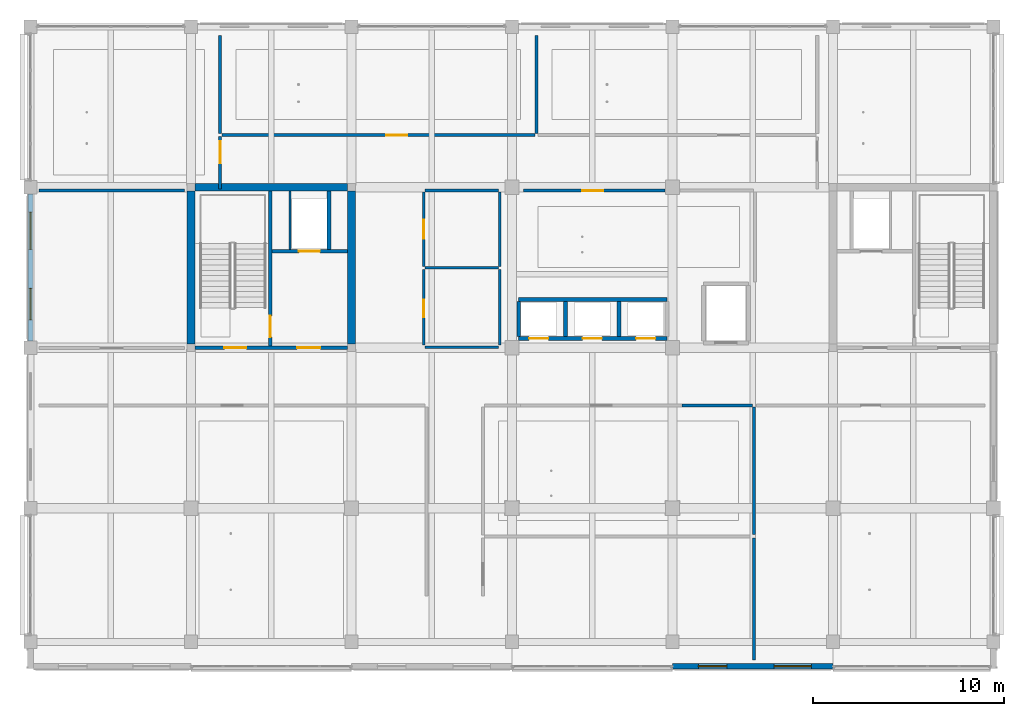
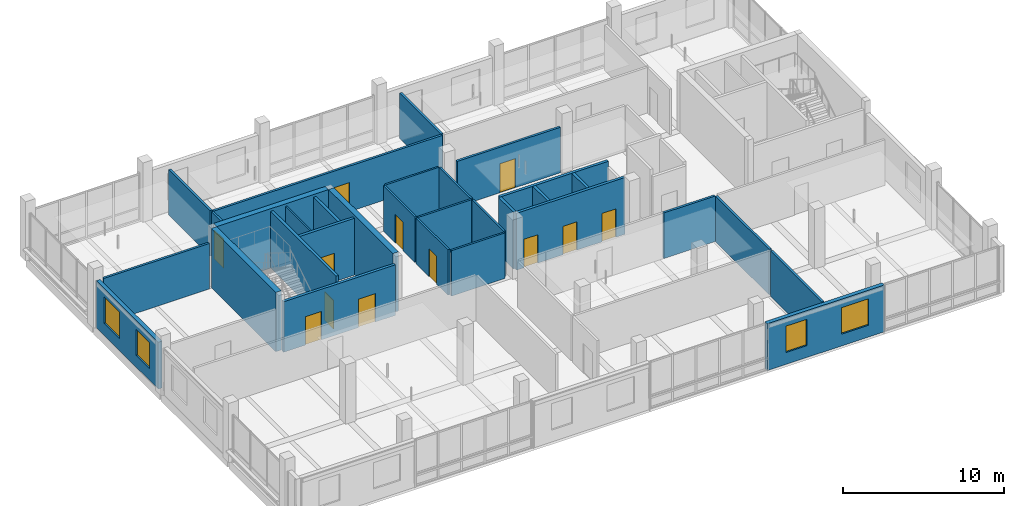
# One storey, part 12 of 35: 31 walls, 12 doors, 4 windows, 16 openings.
"""IFC4 building model written with IfcOpenShell, lengths in metres."""

from ifc_helpers import new_model, si_unit, direction, frame, frame_2d, origin, place, context, subcontext, project, spatial, rectangle, extrude, material, layer, layer_set, type_object, element, fill, save


model = new_model("IFC4")

# Units and contexts
model_context = context("Model", 3, precision=1e-05, world=origin(), true_north=direction((0.0, 1.0)))
body_context = subcontext(model_context, "Body", "Model", "MODEL_VIEW")
ifc_project = project(units=[si_unit("LENGTHUNIT", "METRE"), si_unit("AREAUNIT", "SQUARE_METRE"), si_unit("VOLUMEUNIT", "CUBIC_METRE"), si_unit("PLANEANGLEUNIT", "RADIAN"), si_unit("MASSUNIT", "GRAM", prefix="KILO")], contexts=[model_context])

# Site, building, storey
site_placement = place(None, origin())
site = spatial("IfcSite", under=ifc_project, at=site_placement, CompositionType="ELEMENT")
building_placement = place(site_placement, origin())
building = spatial("IfcBuilding", under=site, at=building_placement, Name="Telukmera Botanical Conservatory", CompositionType="ELEMENT")
storey_placement = place(building_placement, frame((0.0, 0.0, 46.5)))
storey = spatial("IfcBuildingStorey", under=building, at=storey_placement, Name="L10", CompositionType="ELEMENT", Elevation=46.5)

# Wall, openings, windows
ifc_material_1 = material(Name="Precast concrete C40/50", Category="concrete")
ifc_layer_1 = layer(ifc_material_1, 0.280029296875)
ifc_layer_set_1 = layer_set([ifc_layer_1], Name="Precast concrete C40/50")
wall_type_1 = type_object("IfcWallType", Name="Exterior Laboratory Modular Precast Wall 280", PredefinedType="ELEMENTEDWALL", material=ifc_layer_set_1)
wall_1_placement = place(storey_placement, frame((84.001953125, 9.320068359375, 0.0), z_axis=(0.0, 0.0, 1.0), x_axis=(1.0, 0.0, 0.0)))
wall_1 = element("IfcWall", 1, at=wall_1_placement, inside=storey, type_object=wall_type_1, Name="Exterior Precast Wall EW06 V4:L10:S5", PredefinedType="ELEMENTEDWALL", context=body_context, shape_type="SweptSolid", body=[
    extrude(rectangle(XDim=8.39599609375, YDim=0.280029296875, at=frame_2d((4.197998046875, 0.0))), origin(), (0.0, 0.0, 1.0), 3.550048828125),
])
opening_1_placement = place(wall_1_placement, frame((1.34912109375, 0.0, 0.89990234375)))
opening_1 = element("IfcOpeningElement", 2, at=opening_1_placement, cuts=wall_1, Name="Opening W06", PredefinedType="OPENING", context=body_context, shape_type="SweptSolid", body=[
    extrude(rectangle(XDim=1.5, YDim=2.0, at=frame_2d((0.75, 1.0))), frame((0.0, 0.14990234375, 0.0), z_axis=(0.0, -1.0, 0.0), x_axis=(1.0, 0.0, 0.0)), (0.0, 0.0, 1.0), 0.300048828125),
])
opening_2_placement = place(wall_1_placement, frame((5.322021484375, 0.0, 0.89990234375)))
opening_2 = element("IfcOpeningElement", 3, at=opening_2_placement, cuts=wall_1, Name="Opening W13", PredefinedType="OPENING", context=body_context, shape_type="SweptSolid", body=[
    extrude(rectangle(XDim=1.949951171875, YDim=2.0, at=frame_2d((0.97509765625, 1.0))), frame((0.0, 0.14990234375, 0.0), z_axis=(0.0, -1.0, 0.0), x_axis=(1.0, 0.0, 0.0)), (0.0, 0.0, 1.0), 0.300048828125),
])
ifc_material_2 = material(Name="Thermally broken anodised aluminium frame with low-E double glazing", Category="aluminium")
window_type_1 = type_object("IfcWindowType", Name="Double Vertical Laboratory Viewing Window 1500x2000", PartitioningType="DOUBLE_PANEL_VERTICAL", PredefinedType="WINDOW", material=ifc_material_2)
window_1_placement = place(opening_1_placement, origin())
window_1 = element("IfcWindow", 4, at=window_1_placement, inside=storey, type_object=window_type_1, Name="Facade Window W06 V4:L10:S5 1", OverallHeight=2.0, OverallWidth=1.5, PartitioningType="DOUBLE_PANEL_VERTICAL", PredefinedType="WINDOW", context=body_context, shape_type="SweptSolid", body=[
    extrude(rectangle(XDim=1.5, YDim=2.0, at=frame_2d((0.75, 1.0))), frame((0.0, 0.030029296875, 0.0), z_axis=(0.0, -1.0, 0.0), x_axis=(1.0, 0.0, 0.0)), (0.0, 0.0, 1.0), 0.06005859375),
])
fill(opening_1, window_1)
window_type_2 = type_object("IfcWindowType", Name="Triple Vertical Tissue Culture Lab Window 1950x2000", PartitioningType="TRIPLE_PANEL_VERTICAL", PredefinedType="WINDOW", material=ifc_material_2)
window_2_placement = place(opening_2_placement, origin())
window_2 = element("IfcWindow", 5, at=window_2_placement, inside=storey, type_object=window_type_2, Name="Facade Window W13 V4:L10:S5 2", OverallHeight=2.0, OverallWidth=1.949951171875, PartitioningType="TRIPLE_PANEL_VERTICAL", PredefinedType="WINDOW", context=body_context, shape_type="SweptSolid", body=[
    extrude(rectangle(XDim=1.949951171875, YDim=2.0, at=frame_2d((0.97509765625, 1.0))), frame((0.0, 0.030029296875, 0.0), z_axis=(0.0, -1.0, 0.0), x_axis=(1.0, 0.0, 0.0)), (0.0, 0.0, 1.0), 0.06005859375),
])
fill(opening_2, window_2)

wall_2_placement = place(storey_placement, frame((50.39990234375, 26.35205078125, 0.0), z_axis=(0.0, 0.0, 1.0), x_axis=(0.0, 1.0, 0.0)))
wall_2 = element("IfcWall", 6, at=wall_2_placement, inside=storey, type_object=wall_type_1, Name="Exterior Precast Wall EW06 V4:L10:W3", PredefinedType="ELEMENTEDWALL", context=body_context, shape_type="SweptSolid", body=[
    extrude(rectangle(XDim=7.696044921875, YDim=0.280029296875, at=frame_2d((3.84814453125, 0.0))), origin(), (0.0, 0.0, 1.0), 3.550048828125),
])
opening_3_placement = place(wall_2_placement, frame((1.09912109375, 0.0, 0.89990234375)))
opening_3 = element("IfcOpeningElement", 7, at=opening_3_placement, cuts=wall_2, Name="Opening W10", PredefinedType="OPENING", context=body_context, shape_type="SweptSolid", body=[
    extrude(rectangle(XDim=1.64990234375, YDim=1.949951171875, at=frame_2d((0.824951171875, 0.97509765625))), frame((0.0, 0.14990234375, 0.0), z_axis=(0.0, -1.0, 0.0), x_axis=(1.0, 0.0, 0.0)), (0.0, 0.0, 1.0), 0.300048828125),
])
opening_4_placement = place(wall_2_placement, frame((4.797119140625, 0.0, 0.89990234375)))
opening_4 = element("IfcOpeningElement", 8, at=opening_4_placement, cuts=wall_2, Name="Opening W13", PredefinedType="OPENING", context=body_context, shape_type="SweptSolid", body=[
    extrude(rectangle(XDim=1.949951171875, YDim=2.0, at=frame_2d((0.97509765625, 1.0))), frame((0.0, 0.14990234375, 0.0), z_axis=(0.0, -1.0, 0.0), x_axis=(1.0, 0.0, 0.0)), (0.0, 0.0, 1.0), 0.300048828125),
])
window_type_3 = type_object("IfcWindowType", Name="Double Horizontal Phytochemistry Lab Window 1650x1950", PartitioningType="DOUBLE_PANEL_HORIZONTAL", PredefinedType="WINDOW", material=ifc_material_2)
window_3_placement = place(opening_3_placement, origin())
window_3 = element("IfcWindow", 9, at=window_3_placement, inside=storey, type_object=window_type_3, Name="Facade Window W10 V4:L10:W3 1", OverallHeight=1.949951171875, OverallWidth=1.64990234375, PartitioningType="DOUBLE_PANEL_HORIZONTAL", PredefinedType="WINDOW", context=body_context, shape_type="SweptSolid", body=[
    extrude(rectangle(XDim=1.64990234375, YDim=1.949951171875, at=frame_2d((0.824951171875, 0.97509765625))), frame((0.0, 0.030029296875, 0.0), z_axis=(0.0, -1.0, 0.0), x_axis=(1.0, 0.0, 0.0)), (0.0, 0.0, 1.0), 0.06005859375),
])
fill(opening_3, window_3)
window_4_placement = place(opening_4_placement, origin())
window_4 = element("IfcWindow", 10, at=window_4_placement, inside=storey, type_object=window_type_2, Name="Facade Window W13 V4:L10:W3 2", OverallHeight=2.0, OverallWidth=1.949951171875, PartitioningType="TRIPLE_PANEL_VERTICAL", PredefinedType="WINDOW", context=body_context, shape_type="SweptSolid", body=[
    extrude(rectangle(XDim=1.949951171875, YDim=2.0, at=frame_2d((0.97509765625, 1.0))), frame((0.0, 0.030029296875, 0.0), z_axis=(0.0, -1.0, 0.0), x_axis=(1.0, 0.0, 0.0)), (0.0, 0.0, 1.0), 0.06005859375),
])
fill(opening_4, window_4)

# Wall, openings, doors
ifc_material_3 = material(Name="Concrete C40/50", Category="concrete")
ifc_layer_2 = layer(ifc_material_3, 0.199951171875)
ifc_layer_set_2 = layer_set([ifc_layer_2], Name="Concrete C40/50")
wall_type_2 = type_object("IfcWallType", Name="WT-CORE-200", PredefinedType="SOLIDWALL", material=ifc_layer_set_2)
wall_3_placement = place(storey_placement, frame((59.0, 26.0, 0.0), z_axis=(0.0, 0.0, 1.0), x_axis=(1.0, 0.0, 0.0)))
wall_3 = element("IfcWall", 11, at=wall_3_placement, inside=storey, type_object=wall_type_2, Name="L10 Core C1 South Fire Wall", PredefinedType="SOLIDWALL", context=body_context, shape_type="SweptSolid", body=[
    extrude(rectangle(XDim=8.0, YDim=0.199951171875, at=frame_2d((4.0, 0.0))), origin(), (0.0, 0.0, 1.0), 3.830078125),
])
opening_5_placement = place(wall_3_placement, frame((1.550048828125, 0.0, 0.0)))
opening_5 = element("IfcOpeningElement", 12, at=opening_5_placement, cuts=wall_3, Name="Opening FD60A", PredefinedType="OPENING", context=body_context, shape_type="SweptSolid", body=[
    extrude(rectangle(XDim=1.14990234375, YDim=2.14990234375, at=frame_2d((0.574951171875, 1.074951171875))), frame((0.0, 0.10986328125, 0.0), z_axis=(0.0, -1.0, 0.0), x_axis=(1.0, 0.0, 0.0)), (0.0, 0.0, 1.0), 0.219970703125),
])
opening_6_placement = place(wall_3_placement, frame((5.35009765625, 0.0, 0.0)))
opening_6 = element("IfcOpeningElement", 13, at=opening_6_placement, cuts=wall_3, Name="Opening FD60C", PredefinedType="OPENING", context=body_context, shape_type="SweptSolid", body=[
    extrude(rectangle(XDim=1.219970703125, YDim=2.14990234375, at=frame_2d((0.60986328125, 1.074951171875))), frame((0.0, 0.10986328125, 0.0), z_axis=(0.0, -1.0, 0.0), x_axis=(1.0, 0.0, 0.0)), (0.0, 0.0, 1.0), 0.219970703125),
])
ifc_material_4 = material(Name="Hardwood fire door", Category="wood")
door_type_1 = type_object("IfcDoorType", Name="DT-FD60-01", OperationType="NOTDEFINED", PredefinedType="DOOR", material=ifc_material_4)
door_1_placement = place(opening_5_placement, origin())
door_1 = element("IfcDoor", 14, at=door_1_placement, inside=storey, type_object=door_type_1, Name="L10 Stair ST1 Escape Door", OperationType="SINGLE_SWING_RIGHT", OverallHeight=2.14990234375, OverallWidth=1.14990234375, PredefinedType="DOOR", context=body_context, shape_type="SweptSolid", body=[
    extrude(rectangle(XDim=1.14990234375, YDim=2.14990234375, at=frame_2d((0.574951171875, 1.074951171875))), frame((0.0, 0.02490234375, 0.0), z_axis=(0.0, -1.0, 0.0), x_axis=(1.0, 0.0, 0.0)), (0.0, 0.0, 1.0), 0.050048828125),
])
fill(opening_5, door_1)
door_type_2 = type_object("IfcDoorType", Name="DT-FD60-03", OperationType="NOTDEFINED", PredefinedType="DOOR", material=ifc_material_4)
door_2_placement = place(opening_6_placement, origin())
door_2 = element("IfcDoor", 15, at=door_2_placement, inside=storey, type_object=door_type_2, Name="L10 Firefighting Lobby C1 Door", OperationType="SINGLE_SWING_LEFT", OverallHeight=2.14990234375, OverallWidth=1.219970703125, PredefinedType="DOOR", context=body_context, shape_type="SweptSolid", body=[
    extrude(rectangle(XDim=1.219970703125, YDim=2.14990234375, at=frame_2d((0.60986328125, 1.074951171875))), frame((0.0, 0.02490234375, 0.0), z_axis=(0.0, -1.0, 0.0), x_axis=(1.0, 0.0, 0.0)), (0.0, 0.0, 1.0), 0.050048828125),
])
fill(opening_6, door_2)

# Wall, opening, door
wall_4_placement = place(storey_placement, frame((62.949951171875, 26.10009765625, 0.0), z_axis=(0.0, 0.0, 1.0), x_axis=(0.0, 1.0, 0.0)))
wall_4 = element("IfcWall", 16, at=wall_4_placement, inside=storey, type_object=wall_type_2, Name="L10 Core C1 Stair-Lobby Wall", PredefinedType="SOLIDWALL", context=body_context, shape_type="SweptSolid", body=[
    extrude(rectangle(XDim=8.099853515625, YDim=0.199951171875, at=frame_2d((4.0498046875, 0.0))), origin(), (0.0, 0.0, 1.0), 4.300048828125),
])
opening_7_placement = place(wall_4_placement, frame((0.449951171875, 0.0, 0.0)))
opening_7 = element("IfcOpeningElement", 17, at=opening_7_placement, cuts=wall_4, Name="Opening FD60B", PredefinedType="OPENING", context=body_context, shape_type="SweptSolid", body=[
    extrude(rectangle(XDim=1.1201171875, YDim=2.14990234375, at=frame_2d((0.56005859375, 1.074951171875))), frame((0.0, 0.10986328125, 0.0), z_axis=(0.0, -1.0, 0.0), x_axis=(1.0, 0.0, 0.0)), (0.0, 0.0, 1.0), 0.219970703125),
])
door_type_3 = type_object("IfcDoorType", Name="DT-FD60-02", OperationType="NOTDEFINED", PredefinedType="DOOR", material=ifc_material_4)
door_3_placement = place(opening_7_placement, origin())
door_3 = element("IfcDoor", 18, at=door_3_placement, inside=storey, type_object=door_type_3, Name="L10 Firefighting Lobby C1 to ST1 Door", OperationType="SINGLE_SWING_RIGHT", OverallHeight=2.14990234375, OverallWidth=1.1201171875, PredefinedType="DOOR", context=body_context, shape_type="SweptSolid", body=[
    extrude(rectangle(XDim=1.1201171875, YDim=2.14990234375, at=frame_2d((0.56005859375, 1.074951171875))), frame((0.0, 0.02490234375, 0.0), z_axis=(0.0, -1.0, 0.0), x_axis=(1.0, 0.0, 0.0)), (0.0, 0.0, 1.0), 0.050048828125),
])
fill(opening_7, door_3)

wall_5_placement = place(storey_placement, frame((63.050048828125, 31.050048828125, 0.0), z_axis=(0.0, 0.0, 1.0), x_axis=(1.0, 0.0, 0.0)))
wall_5 = element("IfcWall", 19, at=wall_5_placement, inside=storey, type_object=wall_type_2, Name="L10 Fire Lift FL1 Shaft Front Wall", PredefinedType="SOLIDWALL", context=body_context, shape_type="SweptSolid", body=[
    extrude(rectangle(XDim=3.949951171875, YDim=0.199951171875, at=frame_2d((1.97509765625, 0.0))), origin(), (0.0, 0.0, 1.0), 4.300048828125),
])
opening_8_placement = place(wall_5_placement, frame((1.39990234375, 0.0, 0.0)))
opening_8 = element("IfcOpeningElement", 20, at=opening_8_placement, cuts=wall_5, Name="Opening LD01", PredefinedType="OPENING", context=body_context, shape_type="SweptSolid", body=[
    extrude(rectangle(XDim=1.10009765625, YDim=2.14990234375, at=frame_2d((0.550048828125, 1.074951171875))), frame((0.0, 0.10986328125, 0.0), z_axis=(0.0, -1.0, 0.0), x_axis=(1.0, 0.0, 0.0)), (0.0, 0.0, 1.0), 0.219970703125),
])
ifc_material_5 = material(Name="Stainless steel 316", Category="steel")
door_type_4 = type_object("IfcDoorType", Name="DT-LD01", OperationType="SLIDING_TO_LEFT", PredefinedType="DOOR", material=ifc_material_5)
door_4_placement = place(opening_8_placement, frame((1.10009765625, 0.0, 0.0), z_axis=(0.0, 0.0, 1.0), x_axis=(-1.0, 0.0, 0.0)))
door_4 = element("IfcDoor", 21, at=door_4_placement, inside=storey, type_object=door_type_4, Name="L10 Lift Landing Door FL1", OperationType="SLIDING_TO_LEFT", OverallHeight=2.14990234375, OverallWidth=1.10009765625, PredefinedType="DOOR", context=body_context, shape_type="SweptSolid", body=[
    extrude(rectangle(XDim=1.10009765625, YDim=2.14990234375, at=frame_2d((0.550048828125, 1.074951171875))), frame((0.0, 0.02490234375, 0.0), z_axis=(0.0, -1.0, 0.0), x_axis=(1.0, 0.0, 0.0)), (0.0, 0.0, 1.0), 0.050048828125),
])
fill(opening_8, door_4)

# Wall
wall_6_placement = place(storey_placement, frame((66.02001953125, 31.14990234375, 0.0), z_axis=(0.0, 0.0, 1.0), x_axis=(0.0, 1.0, 0.0)))
element("IfcWall", 22, at=wall_6_placement, inside=storey, type_object=wall_type_2, Name="L10 Fire Lift FL1 Shaft East Wall", PredefinedType="SOLIDWALL", context=body_context, shape_type="SweptSolid", body=[
    extrude(rectangle(XDim=3.050048828125, YDim=0.199951171875, at=frame_2d((1.52490234375, 0.0))), origin(), (0.0, 0.0, 1.0), 4.300048828125),
])

# Wall, openings, doors
wall_7_placement = place(storey_placement, frame((75.949951171875, 26.47998046875, 0.0), z_axis=(0.0, 0.0, 1.0), x_axis=(1.0, 0.0, 0.0)))
wall_7 = element("IfcWall", 23, at=wall_7_placement, inside=storey, type_object=wall_type_2, Name="L10 Passenger Lift Bank Front Wall", PredefinedType="SOLIDWALL", context=body_context, shape_type="SweptSolid", body=[
    extrude(rectangle(XDim=7.77001953125, YDim=0.199951171875, at=frame_2d((3.885009765625, 0.0))), origin(), (0.0, 0.0, 1.0), 4.300048828125),
])
opening_9_placement = place(wall_7_placement, frame((0.550048828125, 0.0, 0.0)))
opening_9 = element("IfcOpeningElement", 24, at=opening_9_placement, cuts=wall_7, Name="Opening LD03", PredefinedType="OPENING", context=body_context, shape_type="SweptSolid", body=[
    extrude(rectangle(XDim=1.0, YDim=2.14990234375, at=frame_2d((0.5, 1.074951171875))), frame((0.0, 0.10986328125, 0.0), z_axis=(0.0, -1.0, 0.0), x_axis=(1.0, 0.0, 0.0)), (0.0, 0.0, 1.0), 0.219970703125),
])
opening_10_placement = place(wall_7_placement, frame((3.35009765625, 0.0, 0.0)))
opening_10 = element("IfcOpeningElement", 25, at=opening_10_placement, cuts=wall_7, Name="Opening LD03", PredefinedType="OPENING", context=body_context, shape_type="SweptSolid", body=[
    extrude(rectangle(XDim=1.0, YDim=2.14990234375, at=frame_2d((0.5, 1.074951171875))), frame((0.0, 0.10986328125, 0.0), z_axis=(0.0, -1.0, 0.0), x_axis=(1.0, 0.0, 0.0)), (0.0, 0.0, 1.0), 0.219970703125),
])
opening_11_placement = place(wall_7_placement, frame((6.14990234375, 0.0, 0.0)))
opening_11 = element("IfcOpeningElement", 26, at=opening_11_placement, cuts=wall_7, Name="Opening LD03", PredefinedType="OPENING", context=body_context, shape_type="SweptSolid", body=[
    extrude(rectangle(XDim=1.0, YDim=2.14990234375, at=frame_2d((0.5, 1.074951171875))), frame((0.0, 0.10986328125, 0.0), z_axis=(0.0, -1.0, 0.0), x_axis=(1.0, 0.0, 0.0)), (0.0, 0.0, 1.0), 0.219970703125),
])
door_type_5 = type_object("IfcDoorType", Name="DT-LD03", OperationType="SLIDING_TO_LEFT", PredefinedType="DOOR", material=ifc_material_5)
door_5_placement = place(opening_9_placement, frame((1.0, 0.0, 0.0), z_axis=(0.0, 0.0, 1.0), x_axis=(-1.0, 0.0, 0.0)))
door_5 = element("IfcDoor", 27, at=door_5_placement, inside=storey, type_object=door_type_5, Name="L10 Lift Landing Door PL1", OperationType="SLIDING_TO_LEFT", OverallHeight=2.14990234375, OverallWidth=1.0, PredefinedType="DOOR", context=body_context, shape_type="SweptSolid", body=[
    extrude(rectangle(XDim=1.0, YDim=2.14990234375, at=frame_2d((0.5, 1.074951171875))), frame((0.0, 0.02490234375, 0.0), z_axis=(0.0, -1.0, 0.0), x_axis=(1.0, 0.0, 0.0)), (0.0, 0.0, 1.0), 0.050048828125),
])
fill(opening_9, door_5)
door_6_placement = place(opening_10_placement, frame((1.0, 0.0, 0.0), z_axis=(0.0, 0.0, 1.0), x_axis=(-1.0, 0.0, 0.0)))
door_6 = element("IfcDoor", 28, at=door_6_placement, inside=storey, type_object=door_type_5, Name="L10 Lift Landing Door PL2", OperationType="SLIDING_TO_LEFT", OverallHeight=2.14990234375, OverallWidth=1.0, PredefinedType="DOOR", context=body_context, shape_type="SweptSolid", body=[
    extrude(rectangle(XDim=1.0, YDim=2.14990234375, at=frame_2d((0.5, 1.074951171875))), frame((0.0, 0.02490234375, 0.0), z_axis=(0.0, -1.0, 0.0), x_axis=(1.0, 0.0, 0.0)), (0.0, 0.0, 1.0), 0.050048828125),
])
fill(opening_10, door_6)
door_7_placement = place(opening_11_placement, frame((1.0, 0.0, 0.0), z_axis=(0.0, 0.0, 1.0), x_axis=(-1.0, 0.0, 0.0)))
door_7 = element("IfcDoor", 29, at=door_7_placement, inside=storey, type_object=door_type_5, Name="L10 Lift Landing Door PL3", OperationType="SLIDING_TO_LEFT", OverallHeight=2.14990234375, OverallWidth=1.0, PredefinedType="DOOR", context=body_context, shape_type="SweptSolid", body=[
    extrude(rectangle(XDim=1.0, YDim=2.14990234375, at=frame_2d((0.5, 1.074951171875))), frame((0.0, 0.02490234375, 0.0), z_axis=(0.0, -1.0, 0.0), x_axis=(1.0, 0.0, 0.0)), (0.0, 0.0, 1.0), 0.050048828125),
])
fill(opening_11, door_7)

# Walls
wall_8_placement = place(storey_placement, frame((75.949951171875, 28.52001953125, 0.0), z_axis=(0.0, 0.0, 1.0), x_axis=(1.0, 0.0, 0.0)))
element("IfcWall", 30, at=wall_8_placement, inside=storey, type_object=wall_type_2, Name="L10 Passenger Lift Bank Rear Wall", PredefinedType="SOLIDWALL", context=body_context, shape_type="SweptSolid", body=[
    extrude(rectangle(XDim=7.77001953125, YDim=0.199951171875, at=frame_2d((3.885009765625, 0.0))), origin(), (0.0, 0.0, 1.0), 4.300048828125),
])
for number, where, z_axis, x_axis, name in (
    (31, (75.949951171875, 26.580078125, 0.0), (0.0, 0.0, 1.0), (0.0, 1.0, 0.0), "L10 Passenger Lift Shaft Wall 1"),
    (32, (78.39990234375, 26.580078125, 0.0), (0.0, 0.0, 1.0), (0.0, 1.0, 0.0), "L10 Passenger Lift Shaft Wall 2"),
    (33, (81.199951171875, 26.580078125, 0.0), (0.0, 0.0, 1.0), (0.0, 1.0, 0.0), "L10 Passenger Lift Shaft Wall 3"),
):
    element("IfcWall", number, at=place(storey_placement, frame(where, z_axis=z_axis, x_axis=x_axis)), inside=storey, type_object=wall_type_2, Name=name, PredefinedType="SOLIDWALL", context=body_context, shape_type="SweptSolid", body=[
        extrude(rectangle(XDim=1.83984375, YDim=0.199951171875, at=frame_2d((0.919921875, 0.0))), origin(), (0.0, 0.0, 1.0), 4.300048828125),
    ])

# Wall, opening, door
ifc_material_6 = material(Name="Gypsum acoustic stud partition")
ifc_layer_3 = layer(ifc_material_6, 0.159912109375)
ifc_layer_set_3 = layer_set([ifc_layer_3], Name="Gypsum acoustic stud partition")
wall_type_3 = type_object("IfcWallType", Name="WT-LAB-160", PredefinedType="PARTITIONING", material=ifc_layer_set_3)
wall_9_placement = place(storey_placement, frame((76.199951171875, 34.22509765625, 0.0), z_axis=(0.0, 0.0, 1.0), x_axis=(1.0, 0.0, 0.0)))
wall_9 = element("IfcWall", 34, at=wall_9_placement, inside=storey, type_object=wall_type_3, Name="L10 Interior Partition 07", PredefinedType="PARTITIONING", context=body_context, shape_type="SweptSolid", body=[
    extrude(rectangle(XDim=7.39501953125, YDim=0.159912109375, at=frame_2d((3.697509765625, 0.0))), origin(), (0.0, 0.0, 1.0), 3.449951171875),
])
opening_12_placement = place(wall_9_placement, frame((3.0732421875, 0.0, 0.0)))
opening_12 = element("IfcOpeningElement", 35, at=opening_12_placement, cuts=wall_9, Name="Opening ID11", PredefinedType="OPENING", context=body_context, shape_type="SweptSolid", body=[
    extrude(rectangle(XDim=1.10009765625, YDim=2.199951171875, at=frame_2d((0.550048828125, 1.10009765625))), frame((0.0, 0.08984375, 0.0), z_axis=(0.0, -1.0, 0.0), x_axis=(1.0, 0.0, 0.0)), (0.0, 0.0, 1.0), 0.179931640625),
])
ifc_material_7 = material(Name="Flush cleanroom laboratory door")
door_type_6 = type_object("IfcDoorType", Name="DT-TC-110", OperationType="NOTDEFINED", PredefinedType="DOOR", material=ifc_material_7)
door_8_placement = place(opening_12_placement, frame((1.10009765625, 0.0, 0.0), z_axis=(0.0, 0.0, 1.0), x_axis=(-1.0, 0.0, 0.0)))
door_8 = element("IfcDoor", 36, at=door_8_placement, inside=storey, type_object=door_type_6, Name="L10 Sterile Media Preparation Laboratory Door", OperationType="SINGLE_SWING_LEFT", OverallHeight=2.199951171875, OverallWidth=1.10009765625, PredefinedType="DOOR", context=body_context, shape_type="SweptSolid", body=[
    extrude(rectangle(XDim=1.10009765625, YDim=2.199951171875, at=frame_2d((0.550048828125, 1.10009765625))), frame((0.0, 0.02490234375, 0.0), z_axis=(0.0, -1.0, 0.0), x_axis=(1.0, 0.0, 0.0)), (0.0, 0.0, 1.0), 0.050048828125),
])
fill(opening_12, door_8)

# Walls
wall_10_placement = place(storey_placement, frame((50.85009765625, 34.22509765625, 0.0), z_axis=(0.0, 0.0, 1.0), x_axis=(1.0, 0.0, 0.0)))
element("IfcWall", 37, at=wall_10_placement, inside=storey, type_object=wall_type_3, Name="L10 Interior Partition 10", PredefinedType="PARTITIONING", context=body_context, shape_type="SweptSolid", body=[
    extrude(rectangle(XDim=7.599853515625, YDim=0.159912109375, at=frame_2d((3.7998046875, 0.0))), origin(), (0.0, 0.0, 1.0), 3.449951171875),
])
wall_11_placement = place(storey_placement, frame((84.510009765625, 22.97509765625, 0.0), z_axis=(0.0, 0.0, 1.0), x_axis=(1.0, 0.0, 0.0)))
element("IfcWall", 38, at=wall_11_placement, inside=storey, type_object=wall_type_3, Name="L10 Interior Partition 12", PredefinedType="PARTITIONING", context=body_context, shape_type="SweptSolid", body=[
    extrude(rectangle(XDim=3.68994140625, YDim=0.159912109375, at=frame_2d((1.844970703125, 0.0))), origin(), (0.0, 0.0, 1.0), 3.449951171875),
])
wall_12_placement = place(storey_placement, frame((88.27490234375, 16.215087890625, 0.0), z_axis=(0.0, 0.0, 1.0), x_axis=(0.0, 1.0, 0.0)))
element("IfcWall", 39, at=wall_12_placement, inside=storey, type_object=wall_type_3, Name="L10 Interior Partition 20", PredefinedType="PARTITIONING", context=body_context, shape_type="SweptSolid", body=[
    extrude(rectangle(XDim=6.669921875, YDim=0.159912109375, at=frame_2d((3.3349609375, 0.0))), origin(), (0.0, 0.0, 1.0), 3.449951171875),
])
wall_13_placement = place(storey_placement, frame((88.27490234375, 9.64990234375, 0.0), z_axis=(0.0, 0.0, 1.0), x_axis=(0.0, 1.0, 0.0)))
element("IfcWall", 40, at=wall_13_placement, inside=storey, type_object=wall_type_3, Name="L10 Interior Partition 21", PredefinedType="PARTITIONING", context=body_context, shape_type="SweptSolid", body=[
    extrude(rectangle(XDim=6.385009765625, YDim=0.159912109375, at=frame_2d((3.1923828125, 0.0))), origin(), (0.0, 0.0, 1.0), 3.449951171875),
])

# Wall, opening, door
wall_14_placement = place(storey_placement, frame((60.324951171875, 34.300048828125, 0.0), z_axis=(0.0, 0.0, 1.0), x_axis=(0.0, 1.0, 0.0)))
wall_14 = element("IfcWall", 41, at=wall_14_placement, inside=storey, type_object=wall_type_3, Name="L10 Interior Partition 22", PredefinedType="PARTITIONING", context=body_context, shape_type="SweptSolid", body=[
    extrude(rectangle(XDim=2.75, YDim=0.159912109375, at=frame_2d((1.375, 0.0))), origin(), (0.0, 0.0, 1.0), 3.449951171875),
])
opening_13_placement = place(wall_14_placement, frame((1.340087890625, 0.0, 0.0)))
opening_13 = element("IfcOpeningElement", 42, at=opening_13_placement, cuts=wall_14, Name="Opening ID09", PredefinedType="OPENING", context=body_context, shape_type="SweptSolid", body=[
    extrude(rectangle(XDim=1.159912109375, YDim=2.199951171875, at=frame_2d((0.580078125, 1.10009765625))), frame((0.0, 0.08984375, 0.0), z_axis=(0.0, -1.0, 0.0), x_axis=(1.0, 0.0, 0.0)), (0.0, 0.0, 1.0), 0.179931640625),
])
ifc_material_8 = material(Name="Phenolic faced laboratory fire door")
door_type_7 = type_object("IfcDoorType", Name="DT-LAB-116", OperationType="NOTDEFINED", PredefinedType="DOOR", material=ifc_material_8)
door_9_placement = place(opening_13_placement, origin())
door_9 = element("IfcDoor", 43, at=door_9_placement, inside=storey, type_object=door_type_7, Name="L10 Orchid Seed Germination Laboratory Door", OperationType="SINGLE_SWING_LEFT", OverallHeight=2.199951171875, OverallWidth=1.159912109375, PredefinedType="DOOR", context=body_context, shape_type="SweptSolid", body=[
    extrude(rectangle(XDim=1.159912109375, YDim=2.199951171875, at=frame_2d((0.580078125, 1.10009765625))), frame((0.0, 0.02490234375, 0.0), z_axis=(0.0, -1.0, 0.0), x_axis=(1.0, 0.0, 0.0)), (0.0, 0.0, 1.0), 0.050048828125),
])
fill(opening_13, door_9)

wall_15_placement = place(storey_placement, frame((60.4150390625, 37.125, 0.0), z_axis=(0.0, 0.0, 1.0), x_axis=(1.0, 0.0, 0.0)))
wall_15 = element("IfcWall", 44, at=wall_15_placement, inside=storey, type_object=wall_type_3, Name="L10 Interior Partition 23", PredefinedType="PARTITIONING", context=body_context, shape_type="SweptSolid", body=[
    extrude(rectangle(XDim=16.385009765625, YDim=0.159912109375, at=frame_2d((8.1923828125, 0.0))), origin(), (0.0, 0.0, 1.0), 3.449951171875),
])
opening_14_placement = place(wall_15_placement, frame((8.61328125, 0.0, 0.0)))
opening_14 = element("IfcOpeningElement", 45, at=opening_14_placement, cuts=wall_15, Name="Opening ID11", PredefinedType="OPENING", context=body_context, shape_type="SweptSolid", body=[
    extrude(rectangle(XDim=1.10009765625, YDim=2.199951171875, at=frame_2d((0.550048828125, 1.10009765625))), frame((0.0, 0.08984375, 0.0), z_axis=(0.0, -1.0, 0.0), x_axis=(1.0, 0.0, 0.0)), (0.0, 0.0, 1.0), 0.179931640625),
])
door_10_placement = place(opening_14_placement, origin())
door_10 = element("IfcDoor", 46, at=door_10_placement, inside=storey, type_object=door_type_6, Name="L10 Tissue Culture Laboratory Door", OperationType="SINGLE_SWING_RIGHT", OverallHeight=2.199951171875, OverallWidth=1.10009765625, PredefinedType="DOOR", context=body_context, shape_type="SweptSolid", body=[
    extrude(rectangle(XDim=1.10009765625, YDim=2.199951171875, at=frame_2d((0.550048828125, 1.10009765625))), frame((0.0, 0.02490234375, 0.0), z_axis=(0.0, -1.0, 0.0), x_axis=(1.0, 0.0, 0.0)), (0.0, 0.0, 1.0), 0.050048828125),
])
fill(opening_14, door_10)

# Walls
wall_16_placement = place(storey_placement, frame((60.324951171875, 37.199951171875, 0.0), z_axis=(0.0, 0.0, 1.0), x_axis=(0.0, 1.0, 0.0)))
element("IfcWall", 47, at=wall_16_placement, inside=storey, type_object=wall_type_3, Name="L10 Interior Partition 26", PredefinedType="PARTITIONING", context=body_context, shape_type="SweptSolid", body=[
    extrude(rectangle(XDim=5.150146484375, YDim=0.159912109375, at=frame_2d((2.5751953125, 0.0))), origin(), (0.0, 0.0, 1.0), 3.449951171875),
])
wall_17_placement = place(storey_placement, frame((76.875, 37.215087890625, 0.0), z_axis=(0.0, 0.0, 1.0), x_axis=(0.0, 1.0, 0.0)))
element("IfcWall", 48, at=wall_17_placement, inside=storey, type_object=wall_type_3, Name="L10 Interior Partition 27", PredefinedType="PARTITIONING", context=body_context, shape_type="SweptSolid", body=[
    extrude(rectangle(XDim=5.135009765625, YDim=0.159912109375, at=frame_2d((2.5673828125, 0.0))), origin(), (0.0, 0.0, 1.0), 3.449951171875),
])
ifc_material_9 = material(Name="Gypsum shaftwall liner")
ifc_layer_4 = layer(ifc_material_9, 0.110107421875)
ifc_layer_set_4 = layer_set([ifc_layer_4], Name="Gypsum shaftwall liner")
wall_type_4 = type_object("IfcWallType", Name="WT-RISER-110", PredefinedType="PARTITIONING", material=ifc_layer_set_4)
wall_18_placement = place(storey_placement, frame((63.97998046875, 31.14990234375, 0.0), z_axis=(0.0, 0.0, 1.0), x_axis=(0.0, 1.0, 0.0)))
element("IfcWall", 49, at=wall_18_placement, inside=storey, type_object=wall_type_4, Name="L10 Wet Riser C1 Shaft Wall", PredefinedType="PARTITIONING", context=body_context, shape_type="SweptSolid", body=[
    extrude(rectangle(XDim=3.050048828125, YDim=0.110107421875, at=frame_2d((1.52490234375, 0.0))), origin(), (0.0, 0.0, 1.0), 4.300048828125),
])

# Wall, opening, door
ifc_material_10 = material(Name="Moisture-resistant blockwork", Category="masonry")
ifc_layer_5 = layer(ifc_material_10, 0.135009765625)
ifc_layer_set_5 = layer_set([ifc_layer_5], Name="Moisture-resistant blockwork")
wall_type_5 = type_object("IfcWallType", Name="WT-WC-135", PredefinedType="PARTITIONING", material=ifc_layer_set_5)
wall_19_placement = place(storey_placement, frame((70.97509765625, 26.14990234375, 0.0), z_axis=(0.0, 0.0, 1.0), x_axis=(0.0, 1.0, 0.0)))
wall_19 = element("IfcWall", 50, at=wall_19_placement, inside=storey, type_object=wall_type_5, Name="L10 Interior Partition 01", PredefinedType="PARTITIONING", context=body_context, shape_type="SweptSolid", body=[
    extrude(rectangle(XDim=3.9501953125, YDim=0.135009765625, at=frame_2d((1.97509765625, 0.0))), origin(), (0.0, 0.0, 1.0), 3.449951171875),
])
opening_15_placement = place(wall_19_placement, frame((1.440673828125, 0.0, 0.0)))
opening_15 = element("IfcOpeningElement", 51, at=opening_15_placement, cuts=wall_19, Name="Opening ID17", PredefinedType="OPENING", context=body_context, shape_type="SweptSolid", body=[
    extrude(rectangle(XDim=0.919921875, YDim=2.1201171875, at=frame_2d((0.4599609375, 1.06005859375))), frame((0.0, 0.077392578125, 0.0), z_axis=(0.0, -1.0, 0.0), x_axis=(1.0, 0.0, 0.0)), (0.0, 0.0, 1.0), 0.155029296875),
])
ifc_material_11 = material(Name="Moisture-resistant laminate WC door")
door_type_8 = type_object("IfcDoorType", Name="DT-WC-092", OperationType="NOTDEFINED", PredefinedType="DOOR", material=ifc_material_11)
door_11_placement = place(opening_15_placement, origin())
door_11 = element("IfcDoor", 52, at=door_11_placement, inside=storey, type_object=door_type_8, Name="L10 Public WC Door", OperationType="SINGLE_SWING_LEFT", OverallHeight=2.1201171875, OverallWidth=0.919921875, PredefinedType="DOOR", context=body_context, shape_type="SweptSolid", body=[
    extrude(rectangle(XDim=0.919921875, YDim=2.1201171875, at=frame_2d((0.4599609375, 1.06005859375))), frame((0.0, 0.02490234375, 0.0), z_axis=(0.0, -1.0, 0.0), x_axis=(1.0, 0.0, 0.0)), (0.0, 0.0, 1.0), 0.050048828125),
])
fill(opening_15, door_11)

wall_20_placement = place(storey_placement, frame((70.97509765625, 30.25, 0.0), z_axis=(0.0, 0.0, 1.0), x_axis=(0.0, 1.0, 0.0)))
wall_20 = element("IfcWall", 53, at=wall_20_placement, inside=storey, type_object=wall_type_5, Name="L10 Interior Partition 02", PredefinedType="PARTITIONING", context=body_context, shape_type="SweptSolid", body=[
    extrude(rectangle(XDim=3.89990234375, YDim=0.135009765625, at=frame_2d((1.949951171875, 0.0))), origin(), (0.0, 0.0, 1.0), 3.449951171875),
])
opening_16_placement = place(wall_20_placement, frame((1.4599609375, 0.0, 0.0)))
opening_16 = element("IfcOpeningElement", 54, at=opening_16_placement, cuts=wall_20, Name="Opening ID15", PredefinedType="OPENING", context=body_context, shape_type="SweptSolid", body=[
    extrude(rectangle(XDim=0.97998046875, YDim=2.14990234375, at=frame_2d((0.489990234375, 1.074951171875))), frame((0.0, 0.077392578125, 0.0), z_axis=(0.0, -1.0, 0.0), x_axis=(1.0, 0.0, 0.0)), (0.0, 0.0, 1.0), 0.155029296875),
])
ifc_material_12 = material(Name="Accessible sanitary laminate door")
door_type_9 = type_object("IfcDoorType", Name="DT-OKU-098", OperationType="NOTDEFINED", PredefinedType="DOOR", material=ifc_material_12)
door_12_placement = place(opening_16_placement, origin())
door_12 = element("IfcDoor", 55, at=door_12_placement, inside=storey, type_object=door_type_9, Name="L10 Accessible WC Door", OperationType="SINGLE_SWING_RIGHT", OverallHeight=2.14990234375, OverallWidth=0.97998046875, PredefinedType="DOOR", context=body_context, shape_type="SweptSolid", body=[
    extrude(rectangle(XDim=0.97998046875, YDim=2.14990234375, at=frame_2d((0.489990234375, 1.074951171875))), frame((0.0, 0.02490234375, 0.0), z_axis=(0.0, -1.0, 0.0), x_axis=(1.0, 0.0, 0.0)), (0.0, 0.0, 1.0), 0.050048828125),
])
fill(opening_16, door_12)

# Walls
for number, where, z_axis, x_axis, name in (
    (56, (71.050048828125, 30.175048828125, 0.0), (0.0, 0.0, 1.0), (1.0, 0.0, 0.0), "L10 Interior Partition 03"),
    (57, (71.050048828125, 26.02490234375, 0.0), (0.0, 0.0, 1.0), (1.0, 0.0, 0.0), "L10 Interior Partition 04"),
    (58, (71.050048828125, 34.22509765625, 0.0), (0.0, 0.0, 1.0), (1.0, 0.0, 0.0), "L10 Interior Partition 05"),
):
    element("IfcWall", number, at=place(storey_placement, frame(where, z_axis=z_axis, x_axis=x_axis)), inside=storey, type_object=wall_type_5, Name=name, PredefinedType="PARTITIONING", context=body_context, shape_type="SweptSolid", body=[
        extrude(rectangle(XDim=3.849853515625, YDim=0.135009765625, at=frame_2d((1.9248046875, 0.0))), origin(), (0.0, 0.0, 1.0), 3.449951171875),
    ])
wall_21_placement = place(storey_placement, frame((74.967529296875, 26.14990234375, 0.0), z_axis=(0.0, 0.0, 1.0), x_axis=(0.0, 1.0, 0.0)))
element("IfcWall", 59, at=wall_21_placement, inside=storey, type_object=wall_type_5, Name="L10 WC Enclosure Partition 01", PredefinedType="PARTITIONING", context=body_context, shape_type="SweptSolid", body=[
    extrude(rectangle(XDim=3.947509765625, YDim=0.135009765625, at=frame_2d((1.9736328125, 0.0))), origin(), (0.0, 0.0, 1.0), 3.449951171875),
])
wall_22_placement = place(storey_placement, frame((74.967529296875, 30.25244140625, 0.0), z_axis=(0.0, 0.0, 1.0), x_axis=(0.0, 1.0, 0.0)))
element("IfcWall", 60, at=wall_22_placement, inside=storey, type_object=wall_type_5, Name="L10 WC Enclosure Partition 02", PredefinedType="PARTITIONING", context=body_context, shape_type="SweptSolid", body=[
    extrude(rectangle(XDim=3.89501953125, YDim=0.135009765625, at=frame_2d((1.947509765625, 0.0))), origin(), (0.0, 0.0, 1.0), 3.449951171875),
])
ifc_material_13 = material(Name="Concrete C50/60", Category="concrete")
ifc_layer_6 = layer(ifc_material_13, 0.39990234375)
ifc_layer_set_6 = layer_set([ifc_layer_6], Name="Concrete C50/60")
wall_type_6 = type_object("IfcWallType", Name="Wall_CW1", PredefinedType="SHEAR", material=ifc_layer_set_6)
for number, where, z_axis, x_axis, name in (
    (61, (58.800048828125, 26.199951171875, 0.0), (0.0, 0.0, 1.0), (0.0, 1.0, 0.0), "Core C1 Shear Wall West L10"),
    (62, (67.199951171875, 26.199951171875, 0.0), (0.0, 0.0, 1.0), (0.0, 1.0, 0.0), "Core C1 Shear Wall East L10"),
    (63, (59.0, 34.39990234375, 0.0), (0.0, 0.0, 1.0), (1.0, 0.0, 0.0), "Core C1 Shear Wall North L10"),
):
    element("IfcWall", number, at=place(storey_placement, frame(where, z_axis=z_axis, x_axis=x_axis)), inside=storey, type_object=wall_type_6, Name=name, PredefinedType="SHEAR", context=body_context, shape_type="SweptSolid", body=[
        extrude(rectangle(XDim=8.0, YDim=0.39990234375, at=frame_2d((4.0, 0.0))), origin(), (0.0, 0.0, 1.0), 4.5),
    ])

save(model, "model.ifc")
